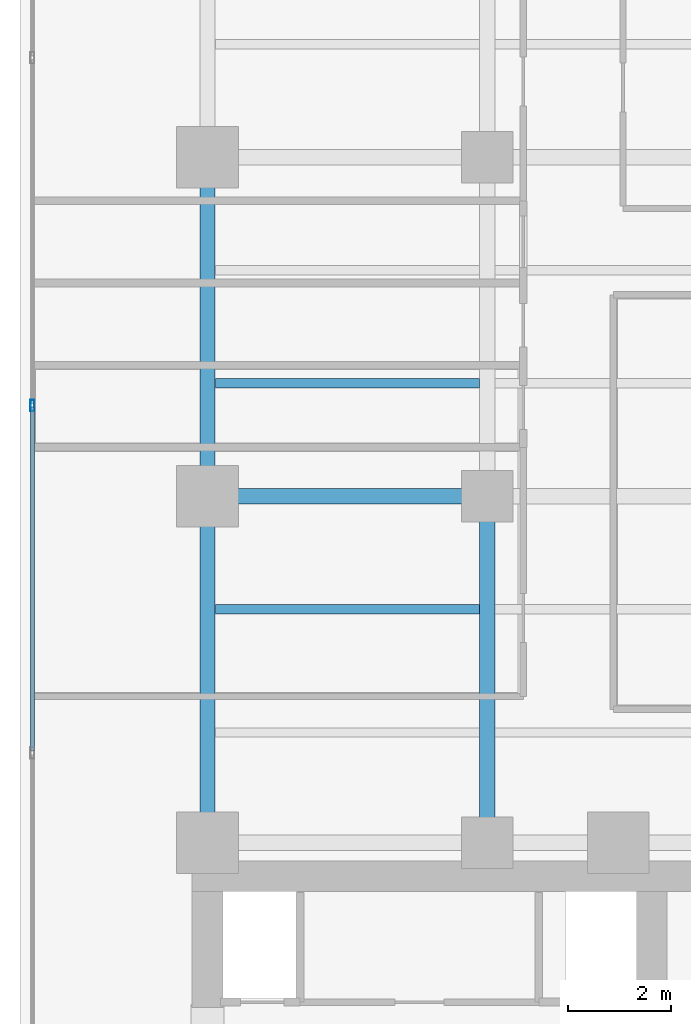
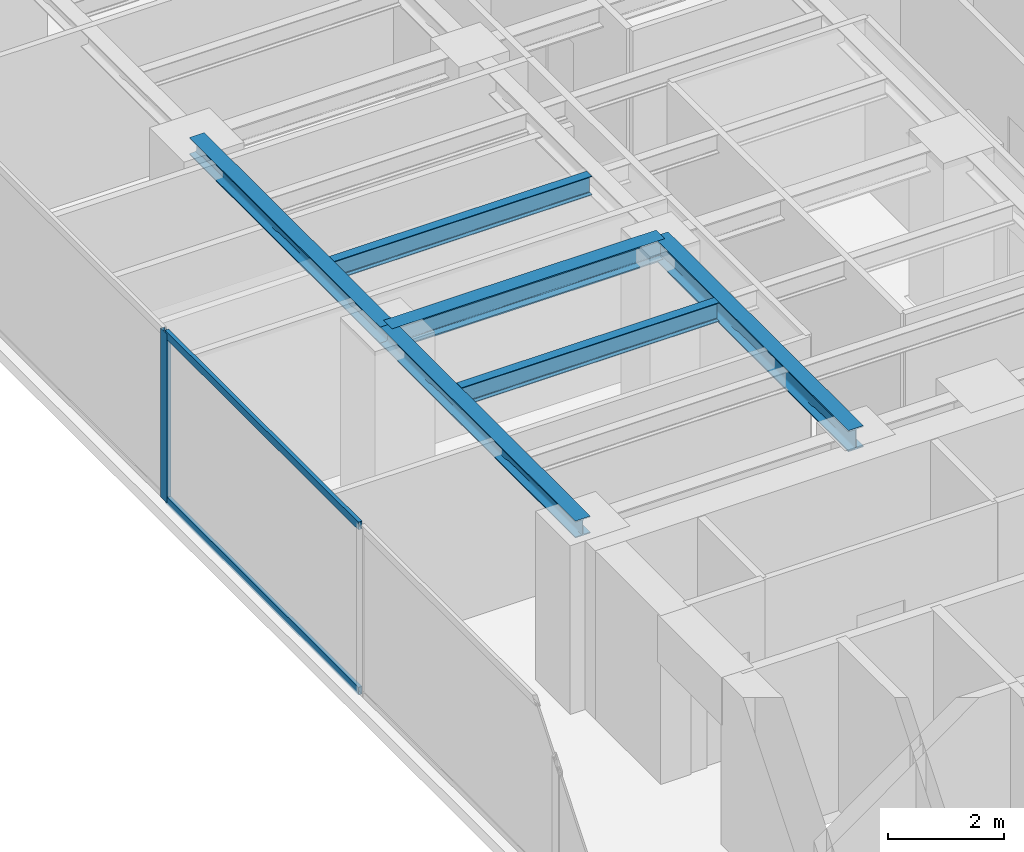
# One storey, part 7 of 24: 6 beams, 3 members, 1 element without a shape of its own.
"""IFC4 building model written with IfcOpenShell, lengths in metres."""

from ifc_helpers import new_model, si_unit, direction, frame, origin, origin_with_axes, origin_2d, place, context, subcontext, project, spatial, hollow_rectangle, i_section, extrude, source, transform, mapped, material, layer, layer_set, material_profile, profile_set, type_object, element, aggregate, save


model = new_model("IFC4")

# Units and contexts
model_context = context("Model", 3, precision=1e-05, world=origin(), true_north=direction((0.0, 1.0)))
body_context = subcontext(model_context, "Body", "Model", "MODEL_VIEW")
ifc_project = project(units=[si_unit("LENGTHUNIT", "METRE"), si_unit("AREAUNIT", "SQUARE_METRE"), si_unit("VOLUMEUNIT", "CUBIC_METRE"), si_unit("PLANEANGLEUNIT", "RADIAN"), si_unit("MASSUNIT", "GRAM", prefix="KILO")], contexts=[model_context])

# Site, building, storey
site_placement = place(None, origin())
site = spatial("IfcSite", under=ifc_project, at=site_placement, CompositionType="ELEMENT")
building_placement = place(site_placement, origin())
building = spatial("IfcBuilding", under=site, at=building_placement, Name="Kolvaren Waterfront Exchange", CompositionType="ELEMENT")
storey_placement = place(building_placement, frame((0.0, 0.0, 153.800048828125)))
storey = spatial("IfcBuildingStorey", under=building, at=storey_placement, Name="L39", CompositionType="ELEMENT", Elevation=153.800048828125)

# Beams
ifc_material_1 = material(Name="Steel S355", Category="steel")
ifc_material_profile_1 = material_profile(ifc_material_1, i_section(OverallWidth=0.300048828125, OverallDepth=0.360107421875, WebThickness=0.012451171875, FlangeThickness=0.0224609375, FilletRadius=0.027099609375, at=origin_2d()), Name="HEB360")
ifc_profile_set_1 = profile_set([ifc_material_profile_1], Name="Steel S355")
beam_type_1 = type_object("IfcBeamType", Name="STR-BM-HEB360", PredefinedType="SPANDREL", material=ifc_profile_set_1)
beam_1_placement = place(storey_placement, frame((7.449951171875, 24.449951171875, 3.3798828125), z_axis=(0.0, 1.0, 0.0), x_axis=(-1.0, 0.0, 0.0)))
element("IfcBeam", 1, at=beam_1_placement, inside=storey, type_object=beam_type_1, Name="L39 north-arm edge beam 1", PredefinedType="SPANDREL", context=body_context, shape_type="SweptSolid", body=[
    extrude(i_section(OverallWidth=0.300048828125, OverallDepth=0.360107421875, WebThickness=0.012451171875, FlangeThickness=0.0224609375, FilletRadius=0.027099609375, at=origin_2d()), origin(), (0.0, 0.0, 1.0), 6.75),
])
beam_2_placement = place(storey_placement, frame((7.449951171875, 31.199951171875, 3.3798828125), z_axis=(0.0, 1.0, 0.0), x_axis=(-1.0, 0.0, 0.0)))
element("IfcBeam", 2, at=beam_2_placement, inside=storey, type_object=beam_type_1, Name="L39 north-arm edge beam 2", PredefinedType="SPANDREL", context=body_context, shape_type="SweptSolid", body=[
    extrude(i_section(OverallWidth=0.300048828125, OverallDepth=0.360107421875, WebThickness=0.012451171875, FlangeThickness=0.0224609375, FilletRadius=0.027099609375, at=origin_2d()), origin(), (0.0, 0.0, 1.0), 6.60009765625),
])
ifc_material_profile_2 = material_profile(ifc_material_1, i_section(OverallWidth=0.300048828125, OverallDepth=0.449951171875, WebThickness=0.013916015625, FlangeThickness=0.02587890625, FilletRadius=0.027099609375, at=origin_2d()), Name="HEB450")
ifc_profile_set_2 = profile_set([ifc_material_profile_2], Name="Steel S355")
beam_type_2 = type_object("IfcBeamType", Name="STR-BM-HEB450", PredefinedType="BEAM", material=ifc_profile_set_2)
beam_3_placement = place(storey_placement, frame((7.449951171875, 31.199951171875, 3.3349609375), z_axis=(1.0, 0.0, 0.0), x_axis=(0.0, 1.0, 0.0)))
element("IfcBeam", 3, at=beam_3_placement, inside=storey, type_object=beam_type_2, Name="L39 north-arm girder 2A", PredefinedType="BEAM", context=body_context, shape_type="SweptSolid", body=[
    extrude(i_section(OverallWidth=0.300048828125, OverallDepth=0.449951171875, WebThickness=0.013916015625, FlangeThickness=0.02587890625, FilletRadius=0.027099609375, at=origin_2d()), origin(), (0.0, 0.0, 1.0), 5.449951171875),
])
beam_4_placement = place(storey_placement, frame((12.89990234375, 24.449951171875, 3.3349609375), z_axis=(0.0, 1.0, 0.0), x_axis=(-1.0, 0.0, 0.0)))
element("IfcBeam", 4, at=beam_4_placement, inside=storey, type_object=beam_type_2, Name="L39 north-arm edge beam 1", PredefinedType="BEAM", context=body_context, shape_type="SweptSolid", body=[
    extrude(i_section(OverallWidth=0.300048828125, OverallDepth=0.449951171875, WebThickness=0.013916015625, FlangeThickness=0.02587890625, FilletRadius=0.027099609375, at=origin_2d()), origin(), (0.0, 0.0, 1.0), 6.75),
])
ifc_material_profile_3 = material_profile(ifc_material_1, i_section(OverallWidth=0.179931640625, OverallDepth=0.39990234375, WebThickness=0.008544921875, FlangeThickness=0.013427734375, FilletRadius=0.02099609375, at=origin_2d()), Name="IPE400")
ifc_profile_set_3 = profile_set([ifc_material_profile_3], Name="Steel S355")
beam_type_3 = type_object("IfcBeamType", Name="STR-BM-IPE400", PredefinedType="JOIST", material=ifc_profile_set_3)
for number, where, z_axis, x_axis, name in (
    (5, (7.60205078125, 29.0, 3.35986328125), (1.0, 0.0, 0.0), (0.0, 1.0, 0.0), "L39 north-arm composite joist 2A"),
    (6, (7.60205078125, 33.39990234375, 3.35986328125), (1.0, 0.0, 0.0), (0.0, 1.0, 0.0), "L39 north-arm composite joist 3A"),
):
    element("IfcBeam", number, at=place(storey_placement, frame(where, z_axis=z_axis, x_axis=x_axis)), inside=storey, type_object=beam_type_3, Name=name, PredefinedType="JOIST", context=body_context, shape_type="SweptSolid", body=[
        extrude(i_section(OverallWidth=0.179931640625, OverallDepth=0.39990234375, WebThickness=0.008544921875, FlangeThickness=0.013427734375, FilletRadius=0.02099609375, at=origin_2d()), origin(), (0.0, 0.0, 1.0), 5.14599609375),
    ])

# Curtain wall, members
ifc_material_2 = material(Name="Anodised aluminium 6063-T6", Category="aluminium")
ifc_layer = layer(ifc_material_2, 0.219970703125, Name="Anodised aluminium 6063-T6")
ifc_layer_set = layer_set([ifc_layer], Name="Anodised aluminium 6063-T6")
curtain_wall_type = type_object("IfcCurtainWallType", Name="ARC-CW-SYS2", PredefinedType="USERDEFINED", material=ifc_layer_set)
curtain_wall_placement = place(storey_placement, origin())
curtain_wall = element("IfcCurtainWall", 7, at=curtain_wall_placement, inside=storey, type_object=curtain_wall_type, Name="L39 stick curtain wall CW2 (CW-L39-W)", ObjectType="STICK CURTAIN WALL", PredefinedType="USERDEFINED")
ifc_material_profile_4 = material_profile(ifc_material_2, hollow_rectangle(XDim=0.080078125, YDim=0.219970703125, WallThickness=0.0048828125, at=origin_2d()), Name="ALU-MUL-220x80x5")
ifc_profile_set_4 = profile_set([ifc_material_profile_4], Name="Anodised aluminium 6063-T6")
member_type_1 = type_object("IfcMemberType", Name="ARC-CWM-220", PredefinedType="MULLION", material=ifc_profile_set_4)
shared_shape_1 = source(origin_with_axes(), body_context, "Body", "SweptSolid", [
    extrude(hollow_rectangle(XDim=0.080078125, YDim=0.219970703125, WallThickness=0.0048828125, at=origin_2d()), origin(), (0.0, 0.0, 1.0), 3.56005859375),
])
member_1_placement = place(storey_placement, frame((4.0400390625, 32.966552734375, 0.0), z_axis=(0.0, 0.0, 1.0), x_axis=(-1.0, 0.0, 0.0)))
member_1 = element("IfcMember", 8, at=member_1_placement, type_object=member_type_1, Name="CW2 mullion 5", PredefinedType="MULLION", context=body_context, shape_type="MappedRepresentation", body=[
    mapped(shared_shape_1, transform((0.0, 0.0, 0.0), x_axis=(1.0, 0.0, 0.0), y_axis=(0.0, 1.0, 0.0), z_axis=(0.0, 0.0, 1.0), scale=1.0)),
])
ifc_material_profile_5 = material_profile(ifc_material_2, hollow_rectangle(XDim=0.074951171875, YDim=0.159912109375, WallThickness=0.00439453125, at=origin_2d()), Name="ALU-TRN-160x75x4.5")
ifc_profile_set_5 = profile_set([ifc_material_profile_5], Name="Anodised aluminium 6063-T6")
member_type_2 = type_object("IfcMemberType", Name="ARC-CWT-160", PredefinedType="USERDEFINED", material=ifc_profile_set_5)
shared_shape_2 = source(origin_with_axes(), body_context, "Body", "SweptSolid", [
    extrude(hollow_rectangle(XDim=0.074951171875, YDim=0.159912109375, WallThickness=0.00439453125, at=origin_2d()), origin(), (0.0, 0.0, 1.0), 6.686767578125),
])
member_2_placement = place(storey_placement, frame((4.0400390625, 26.239990234375, 0.037353515625), z_axis=(0.0, 1.0, 0.0), x_axis=(-1.0, 0.0, 0.0)))
member_2 = element("IfcMember", 9, at=member_2_placement, type_object=member_type_2, Name="CW2 transom 4.1", ObjectType="TRANSOM", PredefinedType="USERDEFINED", context=body_context, shape_type="MappedRepresentation", body=[
    mapped(shared_shape_2, transform((0.0, 0.0, 0.0), x_axis=(1.0, 0.0, 0.0), y_axis=(0.0, 1.0, 0.0), z_axis=(0.0, 0.0, 1.0), scale=1.0)),
])
member_3_placement = place(storey_placement, frame((4.0400390625, 26.239990234375, 3.5224609375), z_axis=(0.0, 1.0, 0.0), x_axis=(-1.0, 0.0, 0.0)))
member_3 = element("IfcMember", 10, at=member_3_placement, type_object=member_type_2, Name="CW2 transom 4.2", ObjectType="TRANSOM", PredefinedType="USERDEFINED", context=body_context, shape_type="MappedRepresentation", body=[
    mapped(shared_shape_2, transform((0.0, 0.0, 0.0), x_axis=(1.0, 0.0, 0.0), y_axis=(0.0, 1.0, 0.0), z_axis=(0.0, 0.0, 1.0), scale=1.0)),
])
aggregate(curtain_wall, [member_1, member_2, member_3])

save(model, "model.ifc")
